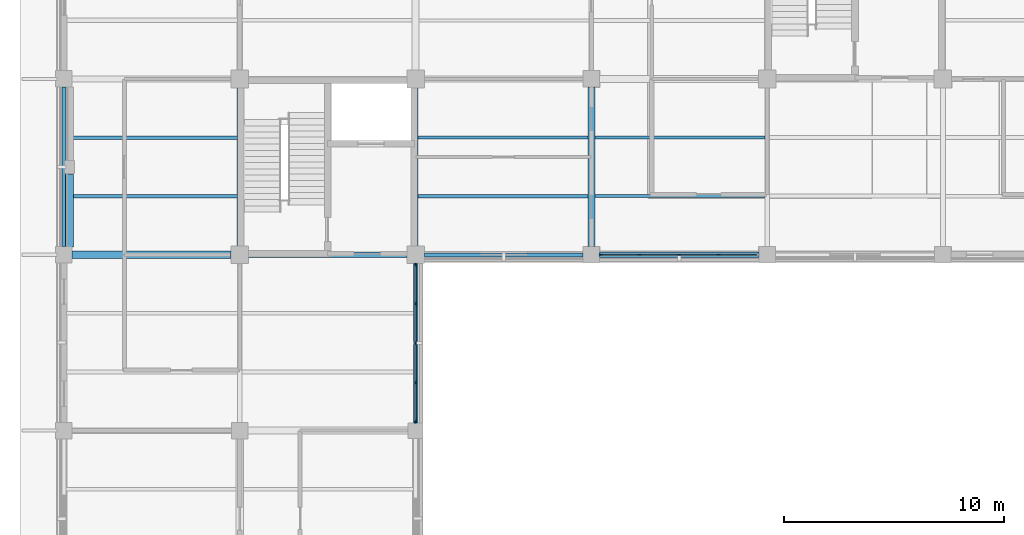
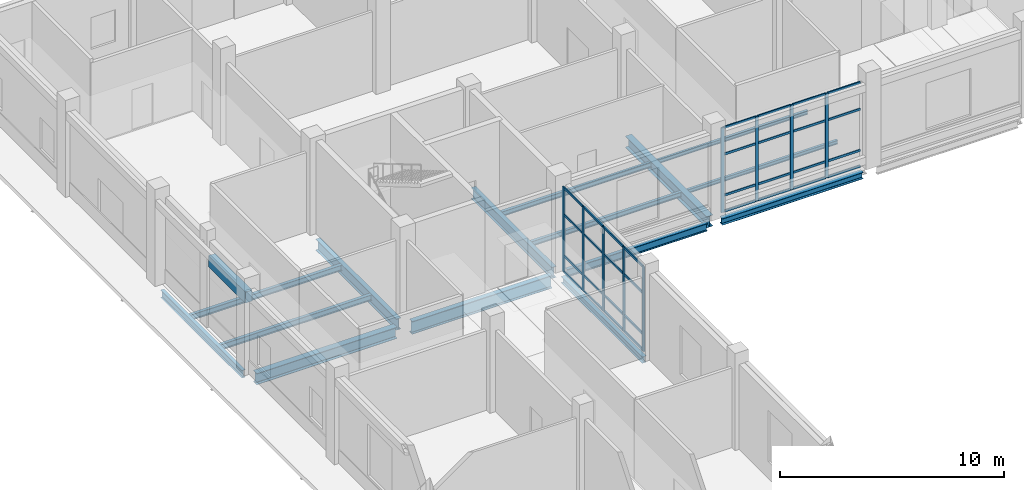
# One storey, part 25 of 105: 41 members, 16 beams, 2 elements without a shape of their own.
"""IFC4 building model written with IfcOpenShell, lengths in metres."""

from ifc_helpers import new_model, si_unit, derived_unit, direction, frame, origin, origin_2d, place, context, subcontext, project, spatial, rectangle, i_section, extrude, material, layer, layer_set, material_profile, profile_set, type_object, element, aggregate, save


model = new_model("IFC4")

# Units and contexts
model_context = context("Model", 3, precision=1e-05, world=origin(), true_north=direction((0.0, 1.0)))
body_context = subcontext(model_context, "Body", "Model", "MODEL_VIEW")
ifc_project = project(units=[si_unit("LENGTHUNIT", "METRE"), si_unit("AREAUNIT", "SQUARE_METRE"), si_unit("VOLUMEUNIT", "CUBIC_METRE"), si_unit("PLANEANGLEUNIT", "RADIAN"), si_unit("MASSUNIT", "GRAM", prefix="KILO"), derived_unit("THERMALTRANSMITTANCEUNIT", [(si_unit("MASSUNIT", "GRAM", prefix="KILO"), 1), (si_unit("TIMEUNIT", "SECOND"), -3), (si_unit("THERMODYNAMICTEMPERATUREUNIT", "KELVIN"), -1)])], contexts=[model_context])

# Site, building, storey
site_placement = place(None, origin())
site = spatial("IfcSite", under=ifc_project, at=site_placement, CompositionType="ELEMENT")
building_placement = place(site_placement, origin())
building = spatial("IfcBuilding", under=site, at=building_placement, Name="Veyamyaing Civic Hall", CompositionType="ELEMENT")
storey_placement = place(building_placement, origin())
storey = spatial("IfcBuildingStorey", under=building, at=storey_placement, Name="L00", CompositionType="ELEMENT", Elevation=0.0)

# Beams
ifc_material_1 = material(Name="Steel ASTM A992", Category="steel")
ifc_material_profile_1 = material_profile(ifc_material_1, i_section(OverallWidth=0.256103515625, OverallDepth=0.693115234375, WebThickness=0.014404296875, FlangeThickness=0.023681640625, FilletRadius=0.013916015625, at=origin_2d()), Name="W690X170")
ifc_profile_set_1 = profile_set([ifc_material_profile_1], Name="Steel ASTM A992")
beam_type_1 = type_object("IfcBeamType", Name="B-04", PredefinedType="BEAM", material=ifc_profile_set_1)
beam_1_placement = place(storey_placement, frame((8.39990234375, 88.0, -0.62158203125), z_axis=(1.0, 0.0, 0.0), x_axis=(0.0, 1.0, 0.0)))
element("IfcBeam", 1, at=beam_1_placement, inside=storey, type_object=beam_type_1, Name="Girder B-04 L00 Grid M 2-3", PredefinedType="BEAM", context=body_context, shape_type="SweptSolid", body=[
    extrude(i_section(OverallWidth=0.256103515625, OverallDepth=0.693115234375, WebThickness=0.014404296875, FlangeThickness=0.023681640625, FilletRadius=0.013916015625, at=origin_2d()), origin(), (0.0, 0.0, 1.0), 7.2001953125),
])
ifc_material_profile_2 = material_profile(ifc_material_1, i_section(OverallWidth=0.22998046875, OverallDepth=0.616943359375, WebThickness=0.01318359375, FlangeThickness=0.022216796875, FilletRadius=0.012939453125, at=origin_2d()), Name="W610X140")
ifc_profile_set_2 = profile_set([ifc_material_profile_2], Name="Steel ASTM A992")
beam_type_2 = type_object("IfcBeamType", Name="B-05", PredefinedType="BEAM", material=ifc_profile_set_2)
beam_2_placement = place(storey_placement, frame((8.0, 88.39990234375, -0.58349609375), z_axis=(0.0, 1.0, 0.0), x_axis=(-1.0, 0.0, 0.0)))
element("IfcBeam", 2, at=beam_2_placement, inside=storey, type_object=beam_type_2, Name="Girder B-05 L00 Grid 2 M-N", PredefinedType="BEAM", context=body_context, shape_type="SweptSolid", body=[
    extrude(i_section(OverallWidth=0.22998046875, OverallDepth=0.616943359375, WebThickness=0.01318359375, FlangeThickness=0.022216796875, FilletRadius=0.012939453125, at=origin_2d()), origin(), (0.0, 0.0, 1.0), 7.2001953125),
])
ifc_material_profile_3 = material_profile(ifc_material_1, i_section(OverallWidth=0.22802734375, OverallDepth=0.60791015625, WebThickness=0.01123046875, FlangeThickness=0.017333984375, FilletRadius=0.012939453125, at=origin_2d()), Name="W610X113")
ifc_profile_set_3 = profile_set([ifc_material_profile_3], Name="Steel ASTM A992")
beam_type_3 = type_object("IfcBeamType", Name="B-06", PredefinedType="BEAM", material=ifc_profile_set_3)
beam_3_placement = place(storey_placement, frame((16.0, 88.39990234375, -0.5791015625), z_axis=(0.0, 1.0, 0.0), x_axis=(-1.0, 0.0, 0.0)))
element("IfcBeam", 3, at=beam_3_placement, inside=storey, type_object=beam_type_3, Name="Girder B-06 L00 Grid 3 M-N", PredefinedType="BEAM", context=body_context, shape_type="SweptSolid", body=[
    extrude(i_section(OverallWidth=0.22802734375, OverallDepth=0.60791015625, WebThickness=0.01123046875, FlangeThickness=0.017333984375, FilletRadius=0.012939453125, at=origin_2d()), origin(), (0.0, 0.0, 1.0), 7.2001953125),
])
ifc_material_profile_4 = material_profile(ifc_material_1, i_section(OverallWidth=0.179931640625, OverallDepth=0.4130859375, WebThickness=0.009765625, FlangeThickness=0.01611328125, FilletRadius=0.010009765625, at=origin_2d()), Name="W410X74")
ifc_profile_set_4 = profile_set([ifc_material_profile_4], Name="Steel ASTM A992")
beam_type_4 = type_object("IfcBeamType", Name="B-10", PredefinedType="SPANDREL", material=ifc_profile_set_4)
beam_4_placement = place(storey_placement, frame((0.0, 88.375, -0.4814453125), z_axis=(0.0, 1.0, 0.0), x_axis=(-1.0, 0.0, 0.0)))
element("IfcBeam", 4, at=beam_4_placement, inside=storey, type_object=beam_type_4, Name="Girder B-10 L00 Grid 1 M-N", PredefinedType="SPANDREL", context=body_context, shape_type="SweptSolid", body=[
    extrude(i_section(OverallWidth=0.179931640625, OverallDepth=0.4130859375, WebThickness=0.009765625, FlangeThickness=0.01611328125, FilletRadius=0.010009765625, at=origin_2d()), origin(), (0.0, 0.0, 1.0), 7.25),
])
ifc_material_profile_5 = material_profile(ifc_material_1, i_section(OverallWidth=0.2041015625, OverallDepth=0.35009765625, WebThickness=0.0078125, FlangeThickness=0.01513671875, FilletRadius=0.010009765625, at=origin_2d()), Name="W360X72")
ifc_profile_set_5 = profile_set([ifc_material_profile_5], Name="Steel ASTM A992")
beam_type_5 = type_object("IfcBeamType", Name="B-11", PredefinedType="SPANDREL", material=ifc_profile_set_5)
beam_5_placement = place(storey_placement, frame((16.0, 80.35009765625, -0.43994140625), z_axis=(0.0, 1.0, 0.0), x_axis=(-1.0, 0.0, 0.0)))
element("IfcBeam", 5, at=beam_5_placement, inside=storey, type_object=beam_type_5, Name="Girder B-11 L00 Grid 3 L-M", PredefinedType="SPANDREL", context=body_context, shape_type="SweptSolid", body=[
    extrude(i_section(OverallWidth=0.2041015625, OverallDepth=0.35009765625, WebThickness=0.0078125, FlangeThickness=0.01513671875, FilletRadius=0.010009765625, at=origin_2d()), origin(), (0.0, 0.0, 1.0), 7.25),
])
ifc_material_profile_6 = material_profile(ifc_material_1, i_section(OverallWidth=0.324951171875, OverallDepth=0.615966796875, WebThickness=0.013916015625, FlangeThickness=0.021484375, FilletRadius=0.013916015625, at=origin_2d()), Name="W610X174")
ifc_profile_set_6 = profile_set([ifc_material_profile_6], Name="Steel ASTM A992")
beam_type_6 = type_object("IfcBeamType", Name="B-15", PredefinedType="BEAM", material=ifc_profile_set_6)
beam_6_placement = place(storey_placement, frame((0.375, 88.0, -0.5830078125), z_axis=(1.0, 0.0, 0.0), x_axis=(0.0, 1.0, 0.0)))
element("IfcBeam", 6, at=beam_6_placement, inside=storey, type_object=beam_type_6, Name="Girder B-15 L00 Grid M 1-2", PredefinedType="BEAM", context=body_context, shape_type="SweptSolid", body=[
    extrude(i_section(OverallWidth=0.324951171875, OverallDepth=0.615966796875, WebThickness=0.013916015625, FlangeThickness=0.021484375, FilletRadius=0.013916015625, at=origin_2d()), origin(), (0.0, 0.0, 1.0), 7.22509765625),
])
beam_7_placement = place(storey_placement, frame((24.0, 88.375, -0.5830078125), z_axis=(0.0, 1.0, 0.0), x_axis=(-1.0, 0.0, 0.0)))
element("IfcBeam", 7, at=beam_7_placement, inside=storey, type_object=beam_type_6, Name="Girder B-15 L00 Grid 4 M-N", PredefinedType="BEAM", context=body_context, shape_type="SweptSolid", body=[
    extrude(i_section(OverallWidth=0.324951171875, OverallDepth=0.615966796875, WebThickness=0.013916015625, FlangeThickness=0.021484375, FilletRadius=0.013916015625, at=origin_2d()), origin(), (0.0, 0.0, 1.0), 7.25),
])
ifc_material_profile_7 = material_profile(ifc_material_1, i_section(OverallWidth=0.180908203125, OverallDepth=0.4169921875, WebThickness=0.010986328125, FlangeThickness=0.018310546875, FilletRadius=0.010009765625, at=origin_2d()), Name="W410X85")
ifc_profile_set_7 = profile_set([ifc_material_profile_7], Name="Steel ASTM A992")
beam_type_7 = type_object("IfcBeamType", Name="B-19", PredefinedType="SPANDREL", material=ifc_profile_set_7)
beam_8_placement = place(storey_placement, frame((16.39990234375, 88.0, -0.4833984375), z_axis=(1.0, 0.0, 0.0), x_axis=(0.0, 1.0, 0.0)))
element("IfcBeam", 8, at=beam_8_placement, inside=storey, type_object=beam_type_7, Name="Girder B-19 L00 Grid M 3-4", PredefinedType="SPANDREL", context=body_context, shape_type="SweptSolid", body=[
    extrude(i_section(OverallWidth=0.180908203125, OverallDepth=0.4169921875, WebThickness=0.010986328125, FlangeThickness=0.018310546875, FilletRadius=0.010009765625, at=origin_2d()), origin(), (0.0, 0.0, 1.0), 7.22509765625),
])
ifc_material_profile_8 = material_profile(ifc_material_1, i_section(OverallWidth=0.25390625, OverallDepth=0.35302734375, WebThickness=0.009521484375, FlangeThickness=0.016357421875, FilletRadius=0.011962890625, at=origin_2d()), Name="W360X91")
ifc_profile_set_8 = profile_set([ifc_material_profile_8], Name="Steel ASTM A992")
beam_type_8 = type_object("IfcBeamType", Name="B-20", PredefinedType="SPANDREL", material=ifc_profile_set_8)
beam_9_placement = place(storey_placement, frame((24.375, 88.0, -0.451416015625), z_axis=(1.0, 0.0, 0.0), x_axis=(0.0, 1.0, 0.0)))
element("IfcBeam", 9, at=beam_9_placement, inside=storey, type_object=beam_type_8, Name="Girder B-20 L00 Grid M 4-5", PredefinedType="SPANDREL", context=body_context, shape_type="SweptSolid", body=[
    extrude(i_section(OverallWidth=0.25390625, OverallDepth=0.35302734375, WebThickness=0.009521484375, FlangeThickness=0.016357421875, FilletRadius=0.011962890625, at=origin_2d()), origin(), (0.0, 0.0, 1.0), 7.25),
])

# Curtain wall, members
ifc_material_2 = material(Name="Anodised aluminium 6063-T6", Category="aluminium")
ifc_layer = layer(ifc_material_2, 0.159912109375, Name="Anodised aluminium 6063-T6")
ifc_layer_set = layer_set([ifc_layer], Name="Anodised aluminium 6063-T6")
curtain_wall_type = type_object("IfcCurtainWallType", Name="CW-01", PredefinedType="NOTDEFINED", material=ifc_layer_set)
curtain_wall_1_placement = place(storey_placement, origin())
curtain_wall_1 = element("IfcCurtainWall", 10, at=curtain_wall_1_placement, inside=storey, type_object=curtain_wall_type, Name="Unitized curtain wall CW-01 L00 E 2.11", PredefinedType="NOTDEFINED")
ifc_material_profile_9 = material_profile(ifc_material_2, rectangle(XDim=0.06494140625, YDim=0.159912109375, at=origin_2d()), Name="ALU-MUL-65X160")
ifc_profile_set_9 = profile_set([ifc_material_profile_9], Name="Anodised aluminium 6063-T6")
member_type_1 = type_object("IfcMemberType", Name="CWM-01", PredefinedType="MULLION", material=ifc_profile_set_9)
member_1_placement = place(storey_placement, frame((16.0, 80.41259765625, 0.0), z_axis=(0.0, 0.0, 1.0), x_axis=(-1.0, 0.0, 0.0)))
member_1 = element("IfcMember", 11, at=member_1_placement, type_object=member_type_1, Name="CW-01 mullion 1", PredefinedType="MULLION", context=body_context, shape_type="SweptSolid", body=[
    extrude(rectangle(XDim=0.06494140625, YDim=0.159912109375, at=origin_2d()), origin(), (0.0, 0.0, 1.0), 4.614990234375),
])
member_2_placement = place(storey_placement, frame((16.0, 82.177490234375, 0.0), z_axis=(0.0, 0.0, 1.0), x_axis=(-1.0, 0.0, 0.0)))
member_2 = element("IfcMember", 12, at=member_2_placement, type_object=member_type_1, Name="CW-01 mullion 2", PredefinedType="MULLION", context=body_context, shape_type="SweptSolid", body=[
    extrude(rectangle(XDim=0.06494140625, YDim=0.159912109375, at=origin_2d()), origin(), (0.0, 0.0, 1.0), 4.614990234375),
])
member_3_placement = place(storey_placement, frame((16.0, 83.97509765625, 0.0), z_axis=(0.0, 0.0, 1.0), x_axis=(-1.0, 0.0, 0.0)))
member_3 = element("IfcMember", 13, at=member_3_placement, type_object=member_type_1, Name="CW-01 mullion 3", PredefinedType="MULLION", context=body_context, shape_type="SweptSolid", body=[
    extrude(rectangle(XDim=0.06494140625, YDim=0.159912109375, at=origin_2d()), origin(), (0.0, 0.0, 1.0), 4.614990234375),
])
member_4_placement = place(storey_placement, frame((16.0, 85.7724609375, 0.0), z_axis=(0.0, 0.0, 1.0), x_axis=(-1.0, 0.0, 0.0)))
member_4 = element("IfcMember", 14, at=member_4_placement, type_object=member_type_1, Name="CW-01 mullion 4", PredefinedType="MULLION", context=body_context, shape_type="SweptSolid", body=[
    extrude(rectangle(XDim=0.06494140625, YDim=0.159912109375, at=origin_2d()), origin(), (0.0, 0.0, 1.0), 4.614990234375),
])
member_5_placement = place(storey_placement, frame((16.0, 87.53759765625, 0.0), z_axis=(0.0, 0.0, 1.0), x_axis=(-1.0, 0.0, 0.0)))
member_5 = element("IfcMember", 15, at=member_5_placement, type_object=member_type_1, Name="CW-01 mullion 5", PredefinedType="MULLION", context=body_context, shape_type="SweptSolid", body=[
    extrude(rectangle(XDim=0.06494140625, YDim=0.159912109375, at=origin_2d()), origin(), (0.0, 0.0, 1.0), 4.614990234375),
])

curtain_wall_2_placement = place(storey_placement, origin())
curtain_wall_2 = element("IfcCurtainWall", 16, at=curtain_wall_2_placement, inside=storey, type_object=curtain_wall_type, Name="Unitized curtain wall CW-01 L00 S 4.12", PredefinedType="NOTDEFINED")
member_6_placement = place(storey_placement, frame((24.4375, 88.0, 0.0), z_axis=(0.0, 0.0, 1.0), x_axis=(0.0, 1.0, 0.0)))
member_6 = element("IfcMember", 17, at=member_6_placement, type_object=member_type_1, Name="CW-01 mullion 1", PredefinedType="MULLION", context=body_context, shape_type="SweptSolid", body=[
    extrude(rectangle(XDim=0.06494140625, YDim=0.159912109375, at=origin_2d()), origin(), (0.0, 0.0, 1.0), 4.614013671875),
])
member_7_placement = place(storey_placement, frame((26.202392578125, 88.0, 0.0), z_axis=(0.0, 0.0, 1.0), x_axis=(0.0, 1.0, 0.0)))
member_7 = element("IfcMember", 18, at=member_7_placement, type_object=member_type_1, Name="CW-01 mullion 2", PredefinedType="MULLION", context=body_context, shape_type="SweptSolid", body=[
    extrude(rectangle(XDim=0.06494140625, YDim=0.159912109375, at=origin_2d()), origin(), (0.0, 0.0, 1.0), 4.614013671875),
])
member_8_placement = place(storey_placement, frame((28.0, 88.0, 0.0), z_axis=(0.0, 0.0, 1.0), x_axis=(0.0, 1.0, 0.0)))
member_8 = element("IfcMember", 19, at=member_8_placement, type_object=member_type_1, Name="CW-01 mullion 3", PredefinedType="MULLION", context=body_context, shape_type="SweptSolid", body=[
    extrude(rectangle(XDim=0.06494140625, YDim=0.159912109375, at=origin_2d()), origin(), (0.0, 0.0, 1.0), 4.614013671875),
])
member_9_placement = place(storey_placement, frame((29.797607421875, 88.0, 0.0), z_axis=(0.0, 0.0, 1.0), x_axis=(0.0, 1.0, 0.0)))
member_9 = element("IfcMember", 20, at=member_9_placement, type_object=member_type_1, Name="CW-01 mullion 4", PredefinedType="MULLION", context=body_context, shape_type="SweptSolid", body=[
    extrude(rectangle(XDim=0.06494140625, YDim=0.159912109375, at=origin_2d()), origin(), (0.0, 0.0, 1.0), 4.614013671875),
])

# Member
ifc_material_profile_10 = material_profile(ifc_material_2, rectangle(XDim=0.06494140625, YDim=0.1201171875, at=origin_2d()), Name="ALU-TRN-65X120")
ifc_profile_set_10 = profile_set([ifc_material_profile_10], Name="Anodised aluminium 6063-T6")
member_type_2 = type_object("IfcMemberType", Name="CWT-01", PredefinedType="USERDEFINED", material=ifc_profile_set_10)
member_10_placement = place(storey_placement, frame((16.0, 80.445068359375, 0.032470703125), z_axis=(0.0, 1.0, 0.0), x_axis=(-1.0, 0.0, 0.0)))
member_10 = element("IfcMember", 21, at=member_10_placement, type_object=member_type_2, Name="CW-01 transom 1.1", ObjectType="TRANSOM", PredefinedType="USERDEFINED", context=body_context, shape_type="SweptSolid", body=[
    extrude(rectangle(XDim=0.06494140625, YDim=0.1201171875, at=origin_2d()), origin(), (0.0, 0.0, 1.0), 1.699951171875),
])

member_11_placement = place(storey_placement, frame((16.0, 80.445068359375, 0.89990234375), z_axis=(0.0, 1.0, 0.0), x_axis=(-1.0, 0.0, 0.0)))
member_11 = element("IfcMember", 22, at=member_11_placement, type_object=member_type_2, Name="CW-01 transom 1.2", ObjectType="TRANSOM", PredefinedType="USERDEFINED", context=body_context, shape_type="SweptSolid", body=[
    extrude(rectangle(XDim=0.06494140625, YDim=0.1201171875, at=origin_2d()), origin(), (0.0, 0.0, 1.0), 1.699951171875),
])

member_12_placement = place(storey_placement, frame((16.0, 80.445068359375, 3.13818359375), z_axis=(0.0, 1.0, 0.0), x_axis=(-1.0, 0.0, 0.0)))
member_12 = element("IfcMember", 23, at=member_12_placement, type_object=member_type_2, Name="CW-01 transom 1.3", ObjectType="TRANSOM", PredefinedType="USERDEFINED", context=body_context, shape_type="SweptSolid", body=[
    extrude(rectangle(XDim=0.06494140625, YDim=0.1201171875, at=origin_2d()), origin(), (0.0, 0.0, 1.0), 1.699951171875),
])

member_13_placement = place(storey_placement, frame((16.0, 80.445068359375, 4.58251953125), z_axis=(0.0, 1.0, 0.0), x_axis=(-1.0, 0.0, 0.0)))
member_13 = element("IfcMember", 24, at=member_13_placement, type_object=member_type_2, Name="CW-01 transom 1.4", ObjectType="TRANSOM", PredefinedType="USERDEFINED", context=body_context, shape_type="SweptSolid", body=[
    extrude(rectangle(XDim=0.06494140625, YDim=0.1201171875, at=origin_2d()), origin(), (0.0, 0.0, 1.0), 1.699951171875),
])

member_14_placement = place(storey_placement, frame((16.0, 82.2099609375, 0.032470703125), z_axis=(0.0, 1.0, 0.0), x_axis=(-1.0, 0.0, 0.0)))
member_14 = element("IfcMember", 25, at=member_14_placement, type_object=member_type_2, Name="CW-01 transom 2.1", ObjectType="TRANSOM", PredefinedType="USERDEFINED", context=body_context, shape_type="SweptSolid", body=[
    extrude(rectangle(XDim=0.06494140625, YDim=0.1201171875, at=origin_2d()), origin(), (0.0, 0.0, 1.0), 1.732421875),
])

member_15_placement = place(storey_placement, frame((16.0, 82.2099609375, 0.89990234375), z_axis=(0.0, 1.0, 0.0), x_axis=(-1.0, 0.0, 0.0)))
member_15 = element("IfcMember", 26, at=member_15_placement, type_object=member_type_2, Name="CW-01 transom 2.2", ObjectType="TRANSOM", PredefinedType="USERDEFINED", context=body_context, shape_type="SweptSolid", body=[
    extrude(rectangle(XDim=0.06494140625, YDim=0.1201171875, at=origin_2d()), origin(), (0.0, 0.0, 1.0), 1.732421875),
])

member_16_placement = place(storey_placement, frame((16.0, 82.2099609375, 3.13818359375), z_axis=(0.0, 1.0, 0.0), x_axis=(-1.0, 0.0, 0.0)))
member_16 = element("IfcMember", 27, at=member_16_placement, type_object=member_type_2, Name="CW-01 transom 2.3", ObjectType="TRANSOM", PredefinedType="USERDEFINED", context=body_context, shape_type="SweptSolid", body=[
    extrude(rectangle(XDim=0.06494140625, YDim=0.1201171875, at=origin_2d()), origin(), (0.0, 0.0, 1.0), 1.732421875),
])

member_17_placement = place(storey_placement, frame((16.0, 82.2099609375, 4.58251953125), z_axis=(0.0, 1.0, 0.0), x_axis=(-1.0, 0.0, 0.0)))
member_17 = element("IfcMember", 28, at=member_17_placement, type_object=member_type_2, Name="CW-01 transom 2.4", ObjectType="TRANSOM", PredefinedType="USERDEFINED", context=body_context, shape_type="SweptSolid", body=[
    extrude(rectangle(XDim=0.06494140625, YDim=0.1201171875, at=origin_2d()), origin(), (0.0, 0.0, 1.0), 1.732421875),
])

member_18_placement = place(storey_placement, frame((16.0, 84.007568359375, 0.032470703125), z_axis=(0.0, 1.0, 0.0), x_axis=(-1.0, 0.0, 0.0)))
member_18 = element("IfcMember", 29, at=member_18_placement, type_object=member_type_2, Name="CW-01 transom 3.1", ObjectType="TRANSOM", PredefinedType="USERDEFINED", context=body_context, shape_type="SweptSolid", body=[
    extrude(rectangle(XDim=0.06494140625, YDim=0.1201171875, at=origin_2d()), origin(), (0.0, 0.0, 1.0), 1.732421875),
])

member_19_placement = place(storey_placement, frame((16.0, 84.007568359375, 0.89990234375), z_axis=(0.0, 1.0, 0.0), x_axis=(-1.0, 0.0, 0.0)))
member_19 = element("IfcMember", 30, at=member_19_placement, type_object=member_type_2, Name="CW-01 transom 3.2", ObjectType="TRANSOM", PredefinedType="USERDEFINED", context=body_context, shape_type="SweptSolid", body=[
    extrude(rectangle(XDim=0.06494140625, YDim=0.1201171875, at=origin_2d()), origin(), (0.0, 0.0, 1.0), 1.732421875),
])

member_20_placement = place(storey_placement, frame((16.0, 84.007568359375, 3.13818359375), z_axis=(0.0, 1.0, 0.0), x_axis=(-1.0, 0.0, 0.0)))
member_20 = element("IfcMember", 31, at=member_20_placement, type_object=member_type_2, Name="CW-01 transom 3.3", ObjectType="TRANSOM", PredefinedType="USERDEFINED", context=body_context, shape_type="SweptSolid", body=[
    extrude(rectangle(XDim=0.06494140625, YDim=0.1201171875, at=origin_2d()), origin(), (0.0, 0.0, 1.0), 1.732421875),
])

member_21_placement = place(storey_placement, frame((16.0, 84.007568359375, 4.58251953125), z_axis=(0.0, 1.0, 0.0), x_axis=(-1.0, 0.0, 0.0)))
member_21 = element("IfcMember", 32, at=member_21_placement, type_object=member_type_2, Name="CW-01 transom 3.4", ObjectType="TRANSOM", PredefinedType="USERDEFINED", context=body_context, shape_type="SweptSolid", body=[
    extrude(rectangle(XDim=0.06494140625, YDim=0.1201171875, at=origin_2d()), origin(), (0.0, 0.0, 1.0), 1.732421875),
])

member_22_placement = place(storey_placement, frame((16.0, 85.804931640625, 0.032470703125), z_axis=(0.0, 1.0, 0.0), x_axis=(-1.0, 0.0, 0.0)))
member_22 = element("IfcMember", 33, at=member_22_placement, type_object=member_type_2, Name="CW-01 transom 4.1", ObjectType="TRANSOM", PredefinedType="USERDEFINED", context=body_context, shape_type="SweptSolid", body=[
    extrude(rectangle(XDim=0.06494140625, YDim=0.1201171875, at=origin_2d()), origin(), (0.0, 0.0, 1.0), 1.699951171875),
])

member_23_placement = place(storey_placement, frame((16.0, 85.804931640625, 0.89990234375), z_axis=(0.0, 1.0, 0.0), x_axis=(-1.0, 0.0, 0.0)))
member_23 = element("IfcMember", 34, at=member_23_placement, type_object=member_type_2, Name="CW-01 transom 4.2", ObjectType="TRANSOM", PredefinedType="USERDEFINED", context=body_context, shape_type="SweptSolid", body=[
    extrude(rectangle(XDim=0.06494140625, YDim=0.1201171875, at=origin_2d()), origin(), (0.0, 0.0, 1.0), 1.699951171875),
])

member_24_placement = place(storey_placement, frame((16.0, 85.804931640625, 3.13818359375), z_axis=(0.0, 1.0, 0.0), x_axis=(-1.0, 0.0, 0.0)))
member_24 = element("IfcMember", 35, at=member_24_placement, type_object=member_type_2, Name="CW-01 transom 4.3", ObjectType="TRANSOM", PredefinedType="USERDEFINED", context=body_context, shape_type="SweptSolid", body=[
    extrude(rectangle(XDim=0.06494140625, YDim=0.1201171875, at=origin_2d()), origin(), (0.0, 0.0, 1.0), 1.699951171875),
])

member_25_placement = place(storey_placement, frame((16.0, 85.804931640625, 4.58251953125), z_axis=(0.0, 1.0, 0.0), x_axis=(-1.0, 0.0, 0.0)))
member_25 = element("IfcMember", 36, at=member_25_placement, type_object=member_type_2, Name="CW-01 transom 4.4", ObjectType="TRANSOM", PredefinedType="USERDEFINED", context=body_context, shape_type="SweptSolid", body=[
    extrude(rectangle(XDim=0.06494140625, YDim=0.1201171875, at=origin_2d()), origin(), (0.0, 0.0, 1.0), 1.699951171875),
])

aggregate(curtain_wall_1, [member_1, member_2, member_3, member_4, member_5, member_10, member_11, member_12, member_13, member_14, member_15, member_16, member_17, member_18, member_19, member_20, member_21, member_22, member_23, member_24, member_25])

member_26_placement = place(storey_placement, frame((24.469970703125, 88.0, 0.032470703125), z_axis=(1.0, 0.0, 0.0), x_axis=(0.0, 1.0, 0.0)))
member_26 = element("IfcMember", 37, at=member_26_placement, type_object=member_type_2, Name="CW-01 transom 1.1", ObjectType="TRANSOM", PredefinedType="USERDEFINED", context=body_context, shape_type="SweptSolid", body=[
    extrude(rectangle(XDim=0.06494140625, YDim=0.1201171875, at=origin_2d()), origin(), (0.0, 0.0, 1.0), 1.699951171875),
])

member_27_placement = place(storey_placement, frame((24.469970703125, 88.0, 0.89990234375), z_axis=(1.0, 0.0, 0.0), x_axis=(0.0, 1.0, 0.0)))
member_27 = element("IfcMember", 38, at=member_27_placement, type_object=member_type_2, Name="CW-01 transom 1.2", ObjectType="TRANSOM", PredefinedType="USERDEFINED", context=body_context, shape_type="SweptSolid", body=[
    extrude(rectangle(XDim=0.06494140625, YDim=0.1201171875, at=origin_2d()), origin(), (0.0, 0.0, 1.0), 1.699951171875),
])

member_28_placement = place(storey_placement, frame((24.469970703125, 88.0, 3.137451171875), z_axis=(1.0, 0.0, 0.0), x_axis=(0.0, 1.0, 0.0)))
member_28 = element("IfcMember", 39, at=member_28_placement, type_object=member_type_2, Name="CW-01 transom 1.3", ObjectType="TRANSOM", PredefinedType="USERDEFINED", context=body_context, shape_type="SweptSolid", body=[
    extrude(rectangle(XDim=0.06494140625, YDim=0.1201171875, at=origin_2d()), origin(), (0.0, 0.0, 1.0), 1.699951171875),
])

member_29_placement = place(storey_placement, frame((24.469970703125, 88.0, 4.58154296875), z_axis=(1.0, 0.0, 0.0), x_axis=(0.0, 1.0, 0.0)))
member_29 = element("IfcMember", 40, at=member_29_placement, type_object=member_type_2, Name="CW-01 transom 1.4", ObjectType="TRANSOM", PredefinedType="USERDEFINED", context=body_context, shape_type="SweptSolid", body=[
    extrude(rectangle(XDim=0.06494140625, YDim=0.1201171875, at=origin_2d()), origin(), (0.0, 0.0, 1.0), 1.699951171875),
])

member_30_placement = place(storey_placement, frame((26.235107421875, 88.0, 0.032470703125), z_axis=(1.0, 0.0, 0.0), x_axis=(0.0, 1.0, 0.0)))
member_30 = element("IfcMember", 41, at=member_30_placement, type_object=member_type_2, Name="CW-01 transom 2.1", ObjectType="TRANSOM", PredefinedType="USERDEFINED", context=body_context, shape_type="SweptSolid", body=[
    extrude(rectangle(XDim=0.06494140625, YDim=0.1201171875, at=origin_2d()), origin(), (0.0, 0.0, 1.0), 1.732421875),
])

member_31_placement = place(storey_placement, frame((26.235107421875, 88.0, 0.89990234375), z_axis=(1.0, 0.0, 0.0), x_axis=(0.0, 1.0, 0.0)))
member_31 = element("IfcMember", 42, at=member_31_placement, type_object=member_type_2, Name="CW-01 transom 2.2", ObjectType="TRANSOM", PredefinedType="USERDEFINED", context=body_context, shape_type="SweptSolid", body=[
    extrude(rectangle(XDim=0.06494140625, YDim=0.1201171875, at=origin_2d()), origin(), (0.0, 0.0, 1.0), 1.732421875),
])

member_32_placement = place(storey_placement, frame((26.235107421875, 88.0, 3.137451171875), z_axis=(1.0, 0.0, 0.0), x_axis=(0.0, 1.0, 0.0)))
member_32 = element("IfcMember", 43, at=member_32_placement, type_object=member_type_2, Name="CW-01 transom 2.3", ObjectType="TRANSOM", PredefinedType="USERDEFINED", context=body_context, shape_type="SweptSolid", body=[
    extrude(rectangle(XDim=0.06494140625, YDim=0.1201171875, at=origin_2d()), origin(), (0.0, 0.0, 1.0), 1.732421875),
])

member_33_placement = place(storey_placement, frame((26.235107421875, 88.0, 4.58154296875), z_axis=(1.0, 0.0, 0.0), x_axis=(0.0, 1.0, 0.0)))
member_33 = element("IfcMember", 44, at=member_33_placement, type_object=member_type_2, Name="CW-01 transom 2.4", ObjectType="TRANSOM", PredefinedType="USERDEFINED", context=body_context, shape_type="SweptSolid", body=[
    extrude(rectangle(XDim=0.06494140625, YDim=0.1201171875, at=origin_2d()), origin(), (0.0, 0.0, 1.0), 1.732421875),
])

member_34_placement = place(storey_placement, frame((28.032470703125, 88.0, 0.032470703125), z_axis=(1.0, 0.0, 0.0), x_axis=(0.0, 1.0, 0.0)))
member_34 = element("IfcMember", 45, at=member_34_placement, type_object=member_type_2, Name="CW-01 transom 3.1", ObjectType="TRANSOM", PredefinedType="USERDEFINED", context=body_context, shape_type="SweptSolid", body=[
    extrude(rectangle(XDim=0.06494140625, YDim=0.1201171875, at=origin_2d()), origin(), (0.0, 0.0, 1.0), 1.732421875),
])

member_35_placement = place(storey_placement, frame((28.032470703125, 88.0, 0.89990234375), z_axis=(1.0, 0.0, 0.0), x_axis=(0.0, 1.0, 0.0)))
member_35 = element("IfcMember", 46, at=member_35_placement, type_object=member_type_2, Name="CW-01 transom 3.2", ObjectType="TRANSOM", PredefinedType="USERDEFINED", context=body_context, shape_type="SweptSolid", body=[
    extrude(rectangle(XDim=0.06494140625, YDim=0.1201171875, at=origin_2d()), origin(), (0.0, 0.0, 1.0), 1.732421875),
])

member_36_placement = place(storey_placement, frame((28.032470703125, 88.0, 3.137451171875), z_axis=(1.0, 0.0, 0.0), x_axis=(0.0, 1.0, 0.0)))
member_36 = element("IfcMember", 47, at=member_36_placement, type_object=member_type_2, Name="CW-01 transom 3.3", ObjectType="TRANSOM", PredefinedType="USERDEFINED", context=body_context, shape_type="SweptSolid", body=[
    extrude(rectangle(XDim=0.06494140625, YDim=0.1201171875, at=origin_2d()), origin(), (0.0, 0.0, 1.0), 1.732421875),
])

member_37_placement = place(storey_placement, frame((28.032470703125, 88.0, 4.58154296875), z_axis=(1.0, 0.0, 0.0), x_axis=(0.0, 1.0, 0.0)))
member_37 = element("IfcMember", 48, at=member_37_placement, type_object=member_type_2, Name="CW-01 transom 3.4", ObjectType="TRANSOM", PredefinedType="USERDEFINED", context=body_context, shape_type="SweptSolid", body=[
    extrude(rectangle(XDim=0.06494140625, YDim=0.1201171875, at=origin_2d()), origin(), (0.0, 0.0, 1.0), 1.732421875),
])

member_38_placement = place(storey_placement, frame((29.830078125, 88.0, 0.032470703125), z_axis=(1.0, 0.0, 0.0), x_axis=(0.0, 1.0, 0.0)))
member_38 = element("IfcMember", 49, at=member_38_placement, type_object=member_type_2, Name="CW-01 transom 4.1", ObjectType="TRANSOM", PredefinedType="USERDEFINED", context=body_context, shape_type="SweptSolid", body=[
    extrude(rectangle(XDim=0.06494140625, YDim=0.1201171875, at=origin_2d()), origin(), (0.0, 0.0, 1.0), 1.699951171875),
])

member_39_placement = place(storey_placement, frame((29.830078125, 88.0, 0.89990234375), z_axis=(1.0, 0.0, 0.0), x_axis=(0.0, 1.0, 0.0)))
member_39 = element("IfcMember", 50, at=member_39_placement, type_object=member_type_2, Name="CW-01 transom 4.2", ObjectType="TRANSOM", PredefinedType="USERDEFINED", context=body_context, shape_type="SweptSolid", body=[
    extrude(rectangle(XDim=0.06494140625, YDim=0.1201171875, at=origin_2d()), origin(), (0.0, 0.0, 1.0), 1.699951171875),
])

member_40_placement = place(storey_placement, frame((29.830078125, 88.0, 3.137451171875), z_axis=(1.0, 0.0, 0.0), x_axis=(0.0, 1.0, 0.0)))
member_40 = element("IfcMember", 51, at=member_40_placement, type_object=member_type_2, Name="CW-01 transom 4.3", ObjectType="TRANSOM", PredefinedType="USERDEFINED", context=body_context, shape_type="SweptSolid", body=[
    extrude(rectangle(XDim=0.06494140625, YDim=0.1201171875, at=origin_2d()), origin(), (0.0, 0.0, 1.0), 1.699951171875),
])

member_41_placement = place(storey_placement, frame((29.830078125, 88.0, 4.58154296875), z_axis=(1.0, 0.0, 0.0), x_axis=(0.0, 1.0, 0.0)))
member_41 = element("IfcMember", 52, at=member_41_placement, type_object=member_type_2, Name="CW-01 transom 4.4", ObjectType="TRANSOM", PredefinedType="USERDEFINED", context=body_context, shape_type="SweptSolid", body=[
    extrude(rectangle(XDim=0.06494140625, YDim=0.1201171875, at=origin_2d()), origin(), (0.0, 0.0, 1.0), 1.699951171875),
])

aggregate(curtain_wall_2, [member_6, member_7, member_8, member_9, member_26, member_27, member_28, member_29, member_30, member_31, member_32, member_33, member_34, member_35, member_36, member_37, member_38, member_39, member_40, member_41])

# Beams
ifc_material_profile_11 = material_profile(ifc_material_1, i_section(OverallWidth=0.1650390625, OverallDepth=0.31005859375, WebThickness=0.005859375, FlangeThickness=0.009765625, FilletRadius=0.010009765625, at=origin_2d()), Name="W310X39")
ifc_profile_set_11 = profile_set([ifc_material_profile_11], Name="Steel ASTM A992")
beam_type_9 = type_object("IfcBeamType", Name="J-05", PredefinedType="JOIST", material=ifc_profile_set_11)
for number, where, z_axis, x_axis, name in (
    (53, (0.087890625, 90.666748046875, -0.429931640625), (1.0, 0.0, 0.0), (0.0, 1.0, 0.0), "Composite floor joist J-05 L00 1.12.1"),
    (54, (0.087890625, 93.333251953125, -0.429931640625), (1.0, 0.0, 0.0), (0.0, 1.0, 0.0), "Composite floor joist J-05 L00 1.12.2"),
):
    element("IfcBeam", number, at=place(storey_placement, frame(where, z_axis=z_axis, x_axis=x_axis)), inside=storey, type_object=beam_type_9, Name=name, PredefinedType="JOIST", context=body_context, shape_type="SweptSolid", body=[
        extrude(i_section(OverallWidth=0.1650390625, OverallDepth=0.31005859375, WebThickness=0.005859375, FlangeThickness=0.009765625, FilletRadius=0.010009765625, at=origin_2d()), origin(), (0.0, 0.0, 1.0), 7.799072265625),
    ])
ifc_material_profile_12 = material_profile(ifc_material_1, i_section(OverallWidth=0.14794921875, OverallDepth=0.26611328125, WebThickness=0.007568359375, FlangeThickness=0.012939453125, FilletRadius=0.010009765625, at=origin_2d()), Name="W250X45")
ifc_profile_set_12 = profile_set([ifc_material_profile_12], Name="Steel ASTM A992")
beam_type_10 = type_object("IfcBeamType", Name="J-07", PredefinedType="JOIST", material=ifc_profile_set_12)
for number, where, z_axis, x_axis, name in (
    (55, (16.112060546875, 90.666748046875, -0.407958984375), (1.0, 0.0, 0.0), (0.0, 1.0, 0.0), "Composite floor joist J-07 L00 3.12.1"),
    (56, (16.112060546875, 93.333251953125, -0.407958984375), (1.0, 0.0, 0.0), (0.0, 1.0, 0.0), "Composite floor joist J-07 L00 3.12.2"),
):
    element("IfcBeam", number, at=place(storey_placement, frame(where, z_axis=z_axis, x_axis=x_axis)), inside=storey, type_object=beam_type_10, Name=name, PredefinedType="JOIST", context=body_context, shape_type="SweptSolid", body=[
        extrude(i_section(OverallWidth=0.14794921875, OverallDepth=0.26611328125, WebThickness=0.007568359375, FlangeThickness=0.012939453125, FilletRadius=0.010009765625, at=origin_2d()), origin(), (0.0, 0.0, 1.0), 7.7275390625),
    ])
ifc_material_profile_13 = material_profile(ifc_material_1, i_section(OverallWidth=0.133056640625, OverallDepth=0.20703125, WebThickness=0.005859375, FlangeThickness=0.00830078125, FilletRadius=0.010009765625, at=origin_2d()), Name="W200X27")
ifc_profile_set_13 = profile_set([ifc_material_profile_13], Name="Steel ASTM A992")
beam_type_11 = type_object("IfcBeamType", Name="J-08", PredefinedType="JOIST", material=ifc_profile_set_13)
for number, where, z_axis, x_axis, name in (
    (57, (24.160400390625, 90.666748046875, -0.37841796875), (1.0, 0.0, 0.0), (0.0, 1.0, 0.0), "Composite floor joist J-08 L00 4.12.1"),
    (58, (24.160400390625, 93.333251953125, -0.37841796875), (1.0, 0.0, 0.0), (0.0, 1.0, 0.0), "Composite floor joist J-08 L00 4.12.2"),
):
    element("IfcBeam", number, at=place(storey_placement, frame(where, z_axis=z_axis, x_axis=x_axis)), inside=storey, type_object=beam_type_11, Name=name, PredefinedType="JOIST", context=body_context, shape_type="SweptSolid", body=[
        extrude(i_section(OverallWidth=0.133056640625, OverallDepth=0.20703125, WebThickness=0.005859375, FlangeThickness=0.00830078125, FilletRadius=0.010009765625, at=origin_2d()), origin(), (0.0, 0.0, 1.0), 7.734619140625),
    ])
ifc_material_3 = material(Name="Precast concrete C40/50", Category="concrete")
ifc_material_profile_14 = material_profile(ifc_material_3, rectangle(XDim=0.35009765625, YDim=0.60009765625, at=origin_2d()), Name="RC-LINT-350X600")
ifc_profile_set_14 = profile_set([ifc_material_profile_14], Name="Precast concrete C40/50")
beam_type_12 = type_object("IfcBeamType", Name="LN-02", PredefinedType="LINTEL", material=ifc_profile_set_14)
beam_10_placement = place(storey_placement, frame((0.25, 88.35009765625, 3.64990234375), z_axis=(0.0, 1.0, 0.0), x_axis=(-1.0, 0.0, 0.0)))
element("IfcBeam", 59, at=beam_10_placement, inside=storey, type_object=beam_type_12, Name="Riwaq Arcade Precast Lintel LN-02 PIL-W-11", PredefinedType="LINTEL", context=body_context, shape_type="SweptSolid", body=[
    extrude(rectangle(XDim=0.35009765625, YDim=0.60009765625, at=origin_2d()), origin(), (0.0, 0.0, 1.0), 3.2998046875),
])

save(model, "model.ifc")
